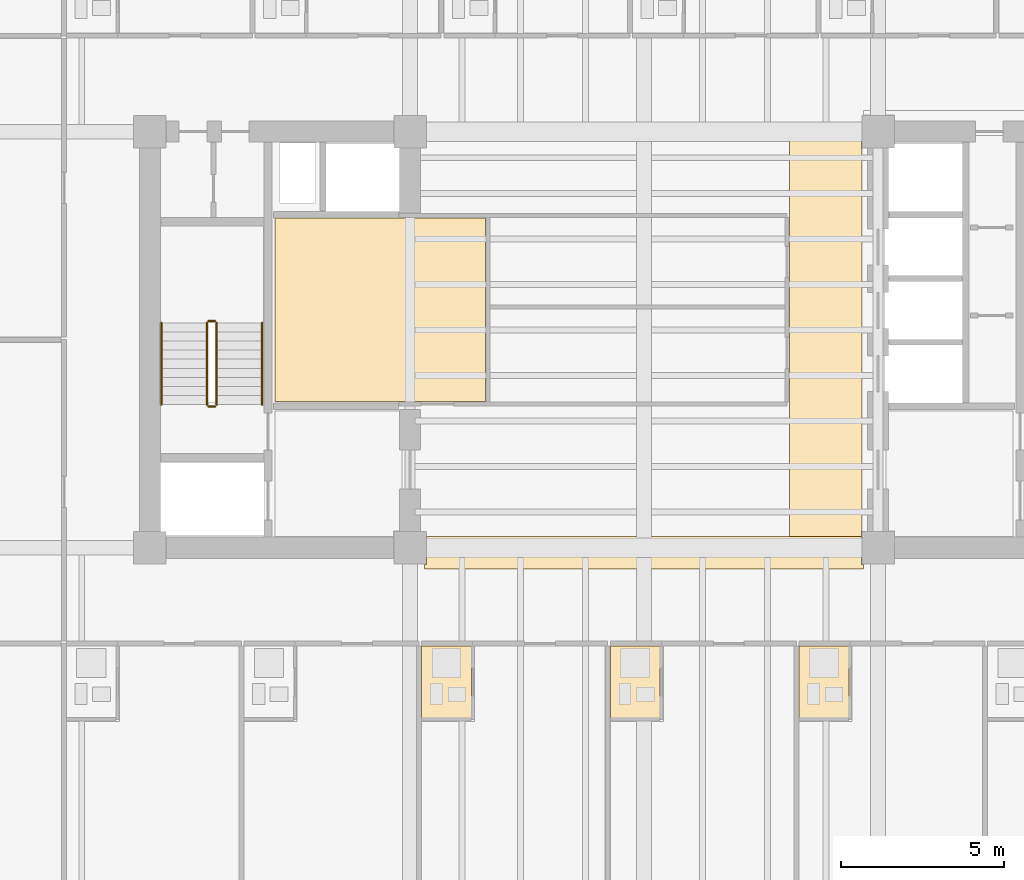
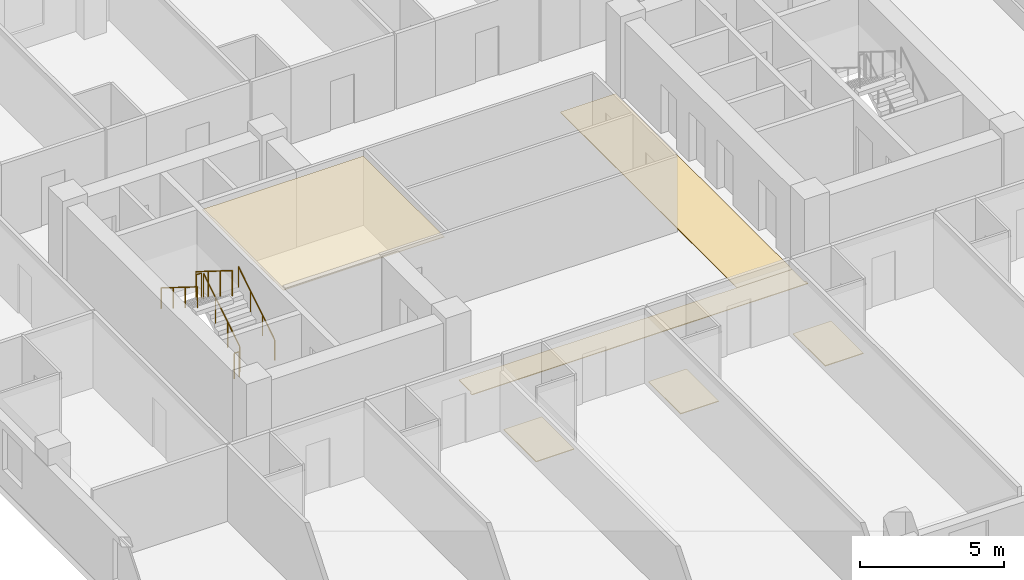
# One storey, part 8 of 11: 6 coverings, 6 railings.
"""IFC4 building model written with IfcOpenShell, lengths in metres."""

from ifc_helpers import new_model, si_unit, direction, frame, origin, origin_2d, place, context, subcontext, project, spatial, polyline, circle, outline, extrude, material, layer, layer_set, type_object, element, save


model = new_model("IFC4")

# Units and contexts
model_context = context("Model", 3, precision=1e-05, world=origin(), true_north=direction((0.0, 1.0)))
body_context = subcontext(model_context, "Body", "Model", "MODEL_VIEW")
ifc_project = project(units=[si_unit("LENGTHUNIT", "METRE"), si_unit("AREAUNIT", "SQUARE_METRE"), si_unit("VOLUMEUNIT", "CUBIC_METRE"), si_unit("PLANEANGLEUNIT", "RADIAN"), si_unit("MASSUNIT", "GRAM", prefix="KILO")], contexts=[model_context])

# Site, building, storey
site_placement = place(None, origin())
site = spatial("IfcSite", under=ifc_project, at=site_placement, CompositionType="ELEMENT")
building_placement = place(site_placement, origin())
building = spatial("IfcBuilding", under=site, at=building_placement, Name="Kranthara Brick Stack", CompositionType="ELEMENT")
storey_placement = place(building_placement, frame((0.0, 0.0, 134.300048828125)))
storey = spatial("IfcBuildingStorey", under=building, at=storey_placement, Name="L33", CompositionType="ELEMENT", Elevation=134.300048828125)

# Coverings
ifc_material_1 = material(Name="Perforated mineral-fibre acoustic ceiling tile", Category="other")
ifc_layer_1 = layer(ifc_material_1, 0.02490234375)
ifc_layer_set_1 = layer_set([ifc_layer_1], Name="Perforated mineral-fibre acoustic ceiling tile")
covering_type_1 = type_object("IfcCoveringType", Name="COV-CEIL-ACOUSTIC", PredefinedType="CEILING", material=ifc_layer_set_1)
covering_1_placement = place(storey_placement, frame((0.0, 0.0, 2.929931640625)))
element("IfcCovering", 1, at=covering_1_placement, inside=storey, type_object=covering_type_1, Name="L33 L33 Hotel Business Study Acoustic Ceiling", PredefinedType="CEILING", context=body_context, shape_type="SweptSolid", body=[
    extrude(outline(polyline([(23.1201171875, 25.300048828125), (23.1201171875, 30.93994140625), (16.64990234375, 30.93994140625), (16.64990234375, 25.300048828125), (23.1201171875, 25.300048828125)])), origin(), (0.0, 0.0, 1.0), 0.02490234375),
])
ifc_material_2 = material(Name="Honed terrazzo and porcelain floor finish", Category="stone")
ifc_layer_2 = layer(ifc_material_2, 0.030029296875)
ifc_layer_set_2 = layer_set([ifc_layer_2], Name="Honed terrazzo and porcelain floor finish")
covering_type_2 = type_object("IfcCoveringType", Name="COV-FLOR-STONE", PredefinedType="FLOORING", material=ifc_layer_set_2)
covering_2_placement = place(storey_placement, origin())
element("IfcCovering", 2, at=covering_2_placement, inside=storey, type_object=covering_type_2, Name="L33 Lift Lobby Stone Flooring", PredefinedType="FLOORING", context=body_context, shape_type="SweptSolid", body=[
    extrude(outline(polyline([(32.47998046875, 33.449951171875), (34.68994140625, 33.449951171875), (34.68994140625, 33.090087890625), (34.699951171875, 33.090087890625), (34.699951171875, 21.31005859375), (34.68994140625, 21.31005859375), (34.68994140625, 21.14990234375), (32.47998046875, 21.14990234375), (32.47998046875, 33.449951171875)])), origin(), (0.0, 0.0, 1.0), 0.030029296875),
])
covering_3_placement = place(storey_placement, origin())
element("IfcCovering", 3, at=covering_3_placement, inside=storey, type_object=covering_type_2, Name="L33 Lift Lobby Stone Flooring", PredefinedType="FLOORING", context=body_context, shape_type="SweptSolid", body=[
    extrude(outline(polyline([(21.25, 20.2900390625), (21.31005859375, 20.2900390625), (21.31005859375, 21.14990234375), (32.47998046875, 21.14990234375), (34.68994140625, 21.14990234375), (34.68994140625, 20.2900390625), (34.75, 20.2900390625), (34.75, 20.14990234375), (21.25, 20.14990234375), (21.25, 20.2900390625)])), origin(), (0.0, 0.0, 1.0), 0.030029296875),
])
covering_4_placement = place(storey_placement, origin())
element("IfcCovering", 4, at=covering_4_placement, inside=storey, type_object=covering_type_2, Name="L33 Wet Room Porcelain Flooring", PredefinedType="FLOORING", context=body_context, shape_type="SweptSolid", body=[
    extrude(outline(polyline([(21.157958984375, 15.52001953125), (21.157958984375, 17.77001953125), (22.68798828125, 17.77001953125), (22.68798828125, 15.52001953125), (21.157958984375, 15.52001953125)])), origin(), (0.0, 0.0, 1.0), 0.030029296875),
])
covering_5_placement = place(storey_placement, origin())
element("IfcCovering", 5, at=covering_5_placement, inside=storey, type_object=covering_type_2, Name="L33 Wet Room Porcelain Flooring", PredefinedType="FLOORING", context=body_context, shape_type="SweptSolid", body=[
    extrude(outline(polyline([(26.962890625, 15.52001953125), (26.962890625, 17.77001953125), (28.492919921875, 17.77001953125), (28.492919921875, 15.52001953125), (26.962890625, 15.52001953125)])), origin(), (0.0, 0.0, 1.0), 0.030029296875),
])
covering_6_placement = place(storey_placement, origin())
element("IfcCovering", 6, at=covering_6_placement, inside=storey, type_object=covering_type_2, Name="L33 Wet Room Porcelain Flooring", PredefinedType="FLOORING", context=body_context, shape_type="SweptSolid", body=[
    extrude(outline(polyline([(32.76904296875, 15.52001953125), (32.76904296875, 17.77001953125), (34.299072265625, 17.77001953125), (34.299072265625, 15.52001953125), (32.76904296875, 15.52001953125)])), origin(), (0.0, 0.0, 1.0), 0.030029296875),
])

# Railings
ifc_material_3 = material(Name="Painted galvanized steel stair guardrail", Category="steel")
railing_type_1 = type_object("IfcRailingType", Name="RL-STAIR-GUARD-1100", PredefinedType="GUARDRAIL", material=ifc_material_3)
railing_1_placement = place(storey_placement, frame((14.85009765625, 25.199951171875, 0.175048828125)))
element("IfcRailing", 7, at=railing_1_placement, inside=storey, type_object=railing_type_1, Name="L33 ST01 stair guard 1", PredefinedType="GUARDRAIL", context=body_context, shape_type="SweptSolid", body=[
    extrude(circle(Radius=0.02392578125, at=origin_2d()), frame((0.0, 0.0, 1.076171875), z_axis=(0.0, 0.848007534815, 0.529984170421), x_axis=(-1.0, 0.0, 0.0)), (0.0, 0.0, 1.0), 2.9716796875),
    extrude(circle(Radius=0.02099609375, at=origin_2d()), origin(), (0.0, 0.0, 1.0), 1.052001953125),
    extrude(circle(Radius=0.02099609375, at=origin_2d()), frame((0.0, 0.840087890625, 0.52490234375)), (0.0, 0.0, 1.0), 1.052001953125),
    extrude(circle(Radius=0.02099609375, at=origin_2d()), frame((0.0, 1.679931640625, 1.050048828125)), (0.0, 0.0, 1.0), 1.052001953125),
    extrude(circle(Radius=0.02099609375, at=origin_2d()), frame((0.0, 2.52001953125, 1.574951171875)), (0.0, 0.0, 1.0), 1.052001953125),
])
railing_2_placement = place(storey_placement, frame((14.800048828125, 27.77001953125, 1.75)))
element("IfcRailing", 8, at=railing_2_placement, inside=storey, type_object=railing_type_1, Name="L33 ST01 stair guard 2", PredefinedType="GUARDRAIL", context=body_context, shape_type="SweptSolid", body=[
    extrude(circle(Radius=0.02392578125, at=origin_2d()), frame((0.0, 0.0, 1.076171875), z_axis=(-1.0, 0.0, 0.0), x_axis=(0.0, -1.0, 0.0)), (0.0, 0.0, 1.0), 0.199951171875),
    extrude(circle(Radius=0.02099609375, at=origin_2d()), origin(), (0.0, 0.0, 1.0), 1.052001953125),
    extrude(circle(Radius=0.02099609375, at=origin_2d()), frame((-0.199951171875, 0.0, 0.0)), (0.0, 0.0, 1.0), 1.052001953125),
])
railing_3_placement = place(storey_placement, frame((14.550048828125, 27.719970703125, 1.925048828125)))
element("IfcRailing", 9, at=railing_3_placement, inside=storey, type_object=railing_type_1, Name="L33 ST01 stair guard 3", PredefinedType="GUARDRAIL", context=body_context, shape_type="SweptSolid", body=[
    extrude(circle(Radius=0.02392578125, at=origin_2d()), frame((0.0, 0.0, 1.076171875), z_axis=(0.0, -0.848007534815, 0.529984170421), x_axis=(1.0, 0.0, 0.0)), (0.0, 0.0, 1.0), 2.9716796875),
    extrude(circle(Radius=0.02099609375, at=origin_2d()), origin(), (0.0, 0.0, 1.0), 1.052001953125),
    extrude(circle(Radius=0.02099609375, at=origin_2d()), frame((0.0, -0.840087890625, 0.52490234375)), (0.0, 0.0, 1.0), 1.052001953125),
    extrude(circle(Radius=0.02099609375, at=origin_2d()), frame((0.0, -1.679931640625, 1.050048828125)), (0.0, 0.0, 1.0), 1.052001953125),
    extrude(circle(Radius=0.02099609375, at=origin_2d()), frame((0.0, -2.52001953125, 1.574951171875)), (0.0, 0.0, 1.0), 1.052001953125),
])
railing_4_placement = place(storey_placement, frame((14.800048828125, 25.14990234375, 0.0)))
element("IfcRailing", 10, at=railing_4_placement, inside=storey, type_object=railing_type_1, Name="L33 ST01 stair guard 4", PredefinedType="GUARDRAIL", context=body_context, shape_type="SweptSolid", body=[
    extrude(circle(Radius=0.02392578125, at=origin_2d()), frame((0.0, 0.0, 1.076171875), z_axis=(-1.0, 0.0, 0.0), x_axis=(0.0, -1.0, 0.0)), (0.0, 0.0, 1.0), 0.199951171875),
    extrude(circle(Radius=0.02099609375, at=origin_2d()), origin(), (0.0, 0.0, 1.0), 1.052001953125),
    extrude(circle(Radius=0.02099609375, at=origin_2d()), frame((-0.199951171875, 0.0, 0.0)), (0.0, 0.0, 1.0), 1.052001953125),
])
ifc_material_4 = material(Name="Brushed stainless steel tubular handrail", Category="steel")
railing_type_2 = type_object("IfcRailingType", Name="RL-STAIR-HAND-900", PredefinedType="HANDRAIL", material=ifc_material_4)
railing_5_placement = place(storey_placement, frame((16.25, 25.199951171875, 0.175048828125)))
element("IfcRailing", 11, at=railing_5_placement, inside=storey, type_object=railing_type_2, Name="L33 ST01 stair handrail 1", PredefinedType="HANDRAIL", context=body_context, shape_type="SweptSolid", body=[
    extrude(circle(Radius=0.02392578125, at=origin_2d()), frame((0.0, 0.0, 0.8759765625), z_axis=(0.0, 0.848007534815, 0.529984170421), x_axis=(-1.0, 0.0, 0.0)), (0.0, 0.0, 1.0), 2.9716796875),
    extrude(circle(Radius=0.02099609375, at=origin_2d()), origin(), (0.0, 0.0, 1.0), 0.851806640625),
    extrude(circle(Radius=0.02099609375, at=origin_2d()), frame((0.0, 0.840087890625, 0.52490234375)), (0.0, 0.0, 1.0), 0.851806640625),
    extrude(circle(Radius=0.02099609375, at=origin_2d()), frame((0.0, 1.679931640625, 1.050048828125)), (0.0, 0.0, 1.0), 0.851806640625),
    extrude(circle(Radius=0.02099609375, at=origin_2d()), frame((0.0, 2.52001953125, 1.574951171875)), (0.0, 0.0, 1.0), 0.851806640625),
])
railing_6_placement = place(storey_placement, frame((13.14990234375, 27.719970703125, 1.925048828125)))
element("IfcRailing", 12, at=railing_6_placement, inside=storey, type_object=railing_type_2, Name="L33 ST01 stair handrail 2", PredefinedType="HANDRAIL", context=body_context, shape_type="SweptSolid", body=[
    extrude(circle(Radius=0.02392578125, at=origin_2d()), frame((0.0, 0.0, 0.8759765625), z_axis=(0.0, -0.848007534815, 0.529984170421), x_axis=(1.0, 0.0, 0.0)), (0.0, 0.0, 1.0), 2.9716796875),
    extrude(circle(Radius=0.02099609375, at=origin_2d()), origin(), (0.0, 0.0, 1.0), 0.851806640625),
    extrude(circle(Radius=0.02099609375, at=origin_2d()), frame((0.0, -0.840087890625, 0.52490234375)), (0.0, 0.0, 1.0), 0.851806640625),
    extrude(circle(Radius=0.02099609375, at=origin_2d()), frame((0.0, -1.679931640625, 1.050048828125)), (0.0, 0.0, 1.0), 0.851806640625),
    extrude(circle(Radius=0.02099609375, at=origin_2d()), frame((0.0, -2.52001953125, 1.574951171875)), (0.0, 0.0, 1.0), 0.851806640625),
])

save(model, "model.ifc")
